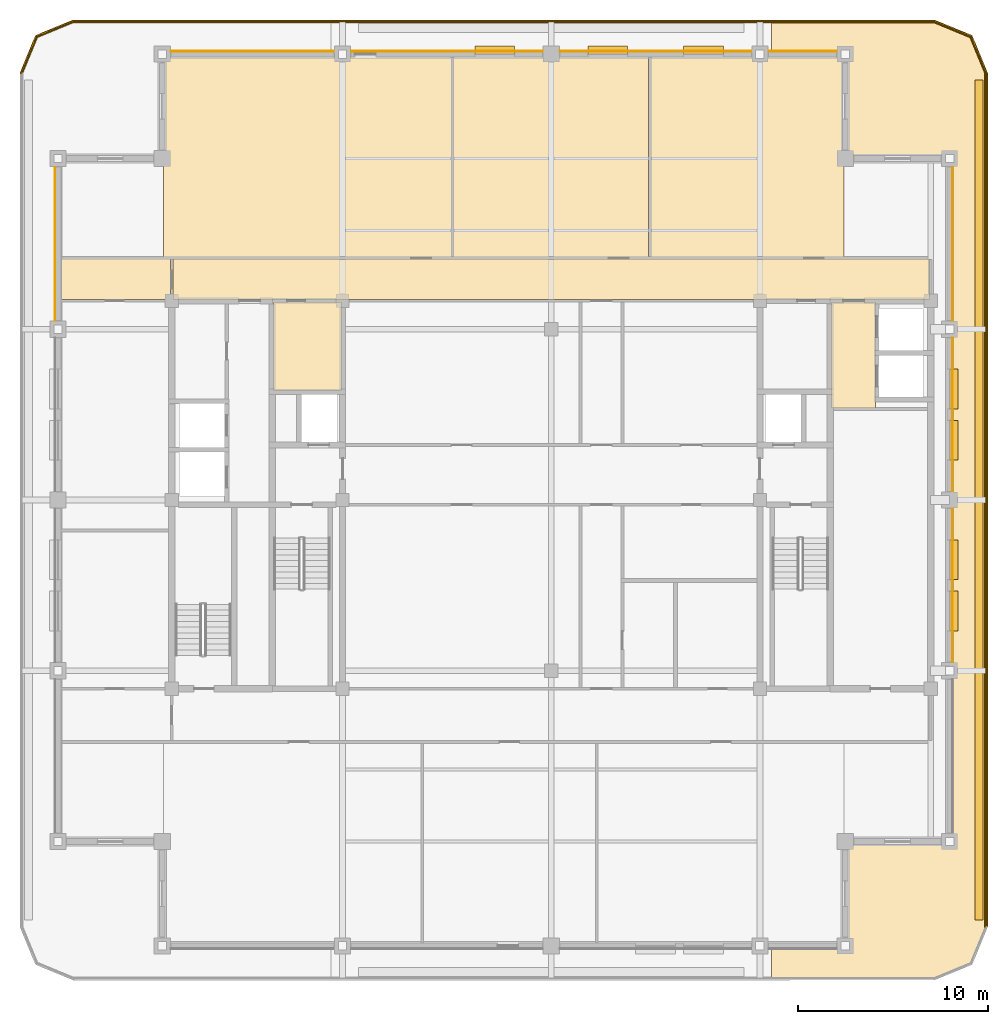
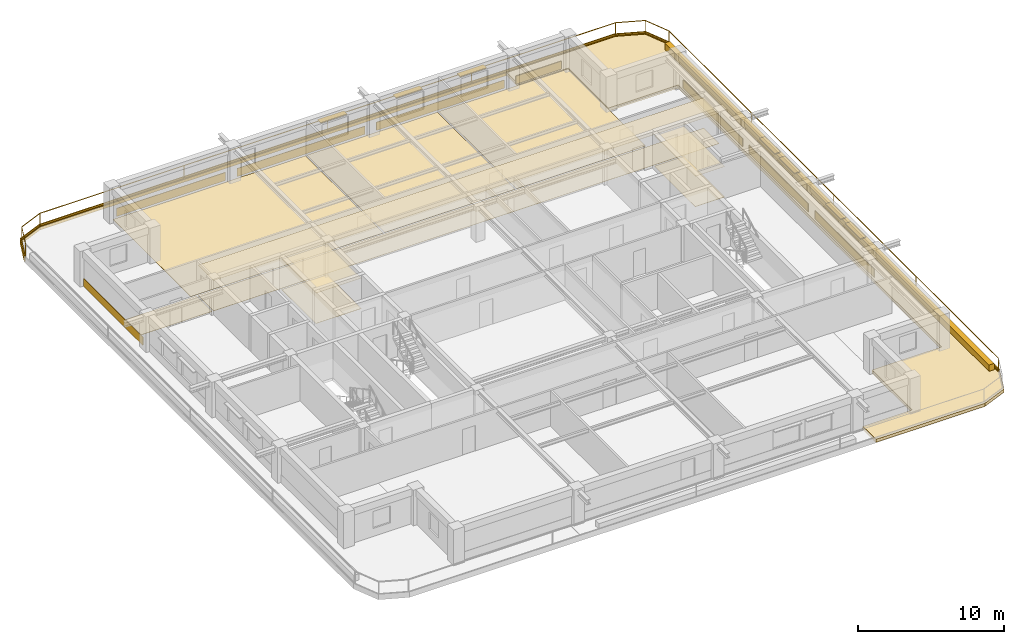
# One storey, part 11 of 11: 26 coverings, 7 shading devices, 2 railings.
"""IFC4 building model written with IfcOpenShell, lengths in metres."""

from ifc_helpers import new_model, si_unit, direction, frame, frame_2d, origin, origin_2d, place, context, subcontext, project, spatial, polyline, rectangle, outline, extrude, material, layer, layer_set, type_object, element, save


model = new_model("IFC4")

# Units and contexts
model_context = context("Model", 3, precision=1e-05, world=origin(), true_north=direction((0.0, 1.0)))
body_context = subcontext(model_context, "Body", "Model", "MODEL_VIEW")
ifc_project = project(units=[si_unit("LENGTHUNIT", "METRE"), si_unit("AREAUNIT", "SQUARE_METRE"), si_unit("VOLUMEUNIT", "CUBIC_METRE"), si_unit("PLANEANGLEUNIT", "RADIAN"), si_unit("MASSUNIT", "GRAM", prefix="KILO")], contexts=[model_context])

# Site, building, storey
site_placement = place(None, origin())
site = spatial("IfcSite", under=ifc_project, at=site_placement, CompositionType="ELEMENT")
building_placement = place(site_placement, origin())
building = spatial("IfcBuilding", under=site, at=building_placement, Name="Zulmaris Gate Convention Tower", CompositionType="ELEMENT")
storey_placement = place(building_placement, frame((0.0, 0.0, 264.119873046875)))
storey = spatial("IfcBuildingStorey", under=building, at=storey_placement, Name="L70", CompositionType="ELEMENT", Elevation=264.119873046875)

# Coverings
ifc_material_1 = material(Name="Precast concrete C40/50", Category="concrete")
ifc_layer_1 = layer(ifc_material_1, 0.0400390625, Name="Precast concrete C40/50")
ifc_layer_set_1 = layer_set([ifc_layer_1], Name="Precast concrete C40/50")
covering_type_1 = type_object("IfcCoveringType", Name="CLAD-SPANDREL-PRECAST", PredefinedType="CLADDING", material=ifc_layer_set_1)
covering_1_placement = place(storey_placement, frame((-11.455078125, 23.64990234375, 0.0), z_axis=(0.0, 0.0, 1.0), x_axis=(-1.0, 0.0, 0.0)))
element("IfcCovering", 1, at=covering_1_placement, inside=storey, type_object=covering_type_1, Name="CLD-L70-N-0_0", PredefinedType="CLADDING", context=body_context, shape_type="SweptSolid", body=[
    extrude(rectangle(XDim=8.58984375, YDim=0.0400390625, at=frame_2d((4.294921875, 0.0))), origin(), (0.0, 0.0, 1.0), 0.679931640625),
])
for number, where, z_axis, x_axis, name in (
    (2, (-0.455078125, 23.64990234375, 0.0), (0.0, 0.0, 1.0), (-1.0, 0.0, 0.0), "CLD-L70-N-1_0"),
    (3, (10.544921875, 23.64990234375, 0.0), (0.0, 0.0, 1.0), (-1.0, 0.0, 0.0), "CLD-L70-N-2_0"),
):
    element("IfcCovering", number, at=place(storey_placement, frame(where, z_axis=z_axis, x_axis=x_axis)), inside=storey, type_object=covering_type_1, Name=name, PredefinedType="CLADDING", context=body_context, shape_type="SweptSolid", body=[
        extrude(rectangle(XDim=10.08984375, YDim=0.0400390625, at=frame_2d((5.044921875, 0.0))), origin(), (0.0, 0.0, 1.0), 0.679931640625),
    ])
covering_2_placement = place(storey_placement, frame((15.044921875, 23.64990234375, 0.0), z_axis=(0.0, 0.0, 1.0), x_axis=(-1.0, 0.0, 0.0)))
element("IfcCovering", 4, at=covering_2_placement, inside=storey, type_object=covering_type_1, Name="CLD-L70-N-3_0", PredefinedType="CLADDING", context=body_context, shape_type="SweptSolid", body=[
    extrude(rectangle(XDim=3.58984375, YDim=0.0400390625, at=frame_2d((1.794921875, 0.0))), origin(), (0.0, 0.0, 1.0), 0.679931640625),
])
for number, where, z_axis, x_axis, name in (
    (5, (21.14990234375, -8.544921875, 0.0), (0.0, 0.0, 1.0), (0.0, 1.0, 0.0), "CLD-L70-E-1_0"),
    (6, (21.14990234375, 0.455078125, 0.0), (0.0, 0.0, 1.0), (0.0, 1.0, 0.0), "CLD-L70-E-2_0"),
    (7, (21.14990234375, 9.455078125, 0.0), (0.0, 0.0, 1.0), (0.0, 1.0, 0.0), "CLD-L70-E-3_0"),
    (8, (-26.14990234375, 17.544921875, 0.0), (0.0, 0.0, 1.0), (0.0, -1.0, 0.0), "CLD-L70-W-3_0"),
):
    element("IfcCovering", number, at=place(storey_placement, frame(where, z_axis=z_axis, x_axis=x_axis)), inside=storey, type_object=covering_type_1, Name=name, PredefinedType="CLADDING", context=body_context, shape_type="SweptSolid", body=[
        extrude(rectangle(XDim=8.08984375, YDim=0.0400390625, at=frame_2d((4.044921875, 0.0))), origin(), (0.0, 0.0, 1.0), 0.679931640625),
    ])
ifc_material_2 = material(Name="White Glazed Architectural Precast Concrete C40/50", Category="concrete")
ifc_layer_2 = layer(ifc_material_2, 0.239990234375, Name="White Glazed Architectural Precast Concrete C40/50")
ifc_layer_set_2 = layer_set([ifc_layer_2], Name="White Glazed Architectural Precast Concrete C40/50")
covering_type_2 = type_object("IfcCoveringType", Name="CLAD-TRAY-DECK", PredefinedType="CLADDING", material=ifc_layer_set_2)
covering_3_placement = place(storey_placement, frame((0.0, 0.0, -0.25)))
element("IfcCovering", 9, at=covering_3_placement, inside=storey, type_object=covering_type_2, Name="L70 East Rounded-Fascia Planter Tray Deck", PredefinedType="CLADDING", context=body_context, shape_type="SweptSolid", body=[
    extrude(outline(polyline([(20.199951171875, 25.300048828125), (22.179931640625, 24.47998046875), (23.0, 22.5), (23.0, -22.5), (22.179931640625, -24.47998046875), (20.199951171875, -25.300048828125), (11.60205078125, -25.300048828125), (11.60205078125, -23.5), (15.5, -23.5), (15.5, -18.0), (21.0, -18.0), (21.0, 18.0), (15.5, 18.0), (15.5, 23.5), (11.60205078125, 23.5), (11.60205078125, 25.300048828125), (20.199951171875, 25.300048828125)])), origin(), (0.0, 0.0, 1.0), 0.260009765625),
])
ifc_layer_3 = layer(ifc_material_2, 0.080078125, Name="White Glazed Architectural Precast Concrete C40/50")
ifc_layer_set_3 = layer_set([ifc_layer_3], Name="White Glazed Architectural Precast Concrete C40/50")
covering_type_3 = type_object("IfcCoveringType", Name="CLAD-TRAY-FASCIA", PredefinedType="CLADDING", material=ifc_layer_set_3)
covering_4_placement = place(storey_placement, frame((22.9599609375, -22.5, -0.2900390625), z_axis=(0.0, 0.0, 1.0), x_axis=(0.0, 1.0, 0.0)))
element("IfcCovering", 10, at=covering_4_placement, inside=storey, type_object=covering_type_3, Name="FSC-L70-TR-05", PredefinedType="CLADDING", context=body_context, shape_type="SweptSolid", body=[
    extrude(rectangle(XDim=45.0, YDim=0.080078125, at=frame_2d((22.5, 0.0))), origin(), (0.0, 0.0, 1.0), 0.4599609375),
])
covering_5_placement = place(storey_placement, frame((22.962890625, 22.484619140625, -0.2900390625), z_axis=(0.0, 0.0, 1.0), x_axis=(-0.382656984709, 0.923890487046, 0.0)))
element("IfcCovering", 11, at=covering_5_placement, inside=storey, type_object=covering_type_3, Name="FSC-L70-TR-06", PredefinedType="CLADDING", context=body_context, shape_type="SweptSolid", body=[
    extrude(rectangle(XDim=2.14306640625, YDim=0.080078125, at=frame_2d((1.071533203125, 0.0))), origin(), (0.0, 0.0, 1.0), 0.4599609375),
])
covering_6_placement = place(storey_placement, frame((22.16455078125, 24.44287109375, -0.2900390625), z_axis=(0.0, 0.0, 1.0), x_axis=(-0.923873803533, 0.382697263049, 0.0)))
element("IfcCovering", 12, at=covering_6_placement, inside=storey, type_object=covering_type_3, Name="FSC-L70-TR-07", PredefinedType="CLADDING", context=body_context, shape_type="SweptSolid", body=[
    extrude(rectangle(XDim=2.142822265625, YDim=0.080078125, at=frame_2d((1.0712890625, 0.0))), origin(), (0.0, 0.0, 1.0), 0.4599609375),
])
covering_7_placement = place(storey_placement, frame((20.199951171875, 25.260009765625, -0.2900390625), z_axis=(0.0, 0.0, 1.0), x_axis=(-1.0, 0.0, 0.0)))
element("IfcCovering", 13, at=covering_7_placement, inside=storey, type_object=covering_type_3, Name="FSC-L70-TR-08", PredefinedType="CLADDING", context=body_context, shape_type="SweptSolid", body=[
    extrude(rectangle(XDim=45.39990234375, YDim=0.080078125, at=frame_2d((22.699951171875, 0.0))), origin(), (0.0, 0.0, 1.0), 0.4599609375),
])
covering_8_placement = place(storey_placement, frame((-25.184814453125, 25.262939453125, -0.2900390625), z_axis=(0.0, 0.0, 1.0), x_axis=(-0.923873803533, -0.382697263049, 0.0)))
element("IfcCovering", 14, at=covering_8_placement, inside=storey, type_object=covering_type_3, Name="FSC-L70-TR-09", PredefinedType="CLADDING", context=body_context, shape_type="SweptSolid", body=[
    extrude(rectangle(XDim=2.142822265625, YDim=0.080078125, at=frame_2d((1.0712890625, 0.0))), origin(), (0.0, 0.0, 1.0), 0.4599609375),
])
covering_9_placement = place(storey_placement, frame((-27.142822265625, 24.464599609375, -0.2900390625), z_axis=(0.0, 0.0, 1.0), x_axis=(-0.382656984709, -0.923890487046, 0.0)))
element("IfcCovering", 15, at=covering_9_placement, inside=storey, type_object=covering_type_3, Name="FSC-L70-TR-10", PredefinedType="CLADDING", context=body_context, shape_type="SweptSolid", body=[
    extrude(rectangle(XDim=2.14306640625, YDim=0.080078125, at=frame_2d((1.071533203125, 0.0))), origin(), (0.0, 0.0, 1.0), 0.4599609375),
])
ifc_material_3 = material(Name="Mineral Fibre Acoustic Ceiling Tile")
ifc_layer_4 = layer(ifc_material_3, 0.02001953125, Name="Mineral Fibre Acoustic Ceiling Tile")
ifc_layer_set_4 = layer_set([ifc_layer_4], Name="Mineral Fibre Acoustic Ceiling Tile")
covering_type_4 = type_object("IfcCoveringType", Name="CLG-ACOUSTIC-600", PredefinedType="CEILING", material=ifc_layer_set_4)
covering_10_placement = place(storey_placement, frame((0.0, 0.0, 2.538330078125)))
element("IfcCovering", 16, at=covering_10_placement, inside=storey, type_object=covering_type_4, Name="CLG-L70-R11", PredefinedType="CEILING", context=body_context, shape_type="SweptSolid", body=[
    extrude(outline(polyline([(-14.639892578125, 5.760009765625), (-11.06005859375, 5.760009765625), (-11.06005859375, 10.43994140625), (-14.639892578125, 10.43994140625), (-14.639892578125, 5.760009765625)])), origin(), (0.0, 0.0, 1.0), 0.019775390625),
])
covering_11_placement = place(storey_placement, frame((0.0, 0.0, 2.538330078125)))
element("IfcCovering", 17, at=covering_11_placement, inside=storey, type_object=covering_type_4, Name="CLG-L70-R21", PredefinedType="CEILING", context=body_context, shape_type="SweptSolid", body=[
    extrude(outline(polyline([(14.760009765625, 4.860107421875), (17.090087890625, 4.860107421875), (17.090087890625, 10.43994140625), (14.760009765625, 10.43994140625), (14.760009765625, 4.860107421875)])), origin(), (0.0, 0.0, 1.0), 0.019775390625),
])
covering_12_placement = place(storey_placement, frame((0.0, 0.0, 2.538330078125)))
element("IfcCovering", 18, at=covering_12_placement, inside=storey, type_object=covering_type_4, Name="CLG-L70-R25", PredefinedType="CEILING", context=body_context, shape_type="SweptSolid", body=[
    extrude(outline(polyline([(-19.93994140625, 10.56005859375), (19.93994140625, 10.56005859375), (19.93994140625, 12.68994140625), (-19.93994140625, 12.68994140625), (-19.93994140625, 10.56005859375)])), origin(), (0.0, 0.0, 1.0), 0.019775390625),
])
ifc_material_4 = material(Name="Woven Acoustic Wool Carpet Tile")
ifc_layer_5 = layer(ifc_material_4, 0.02001953125, Name="Woven Acoustic Wool Carpet Tile")
ifc_layer_set_5 = layer_set([ifc_layer_5], Name="Woven Acoustic Wool Carpet Tile")
covering_type_5 = type_object("IfcCoveringType", Name="FLR-CARPET-12", PredefinedType="FLOORING", material=ifc_layer_set_5)
covering_13_placement = place(storey_placement, origin())
element("IfcCovering", 19, at=covering_13_placement, inside=storey, type_object=covering_type_5, Name="FLR-L70-R11", PredefinedType="FLOORING", context=body_context, shape_type="SweptSolid", body=[
    extrude(outline(polyline([(-14.639892578125, 5.760009765625), (-11.06005859375, 5.760009765625), (-11.06005859375, 10.43994140625), (-14.639892578125, 10.43994140625), (-14.639892578125, 5.760009765625)])), origin(), (0.0, 0.0, 1.0), 0.02001953125),
])
covering_14_placement = place(storey_placement, origin())
element("IfcCovering", 20, at=covering_14_placement, inside=storey, type_object=covering_type_5, Name="FLR-L70-R21", PredefinedType="FLOORING", context=body_context, shape_type="SweptSolid", body=[
    extrude(outline(polyline([(14.760009765625, 4.860107421875), (17.090087890625, 4.860107421875), (17.090087890625, 10.43994140625), (14.760009765625, 10.43994140625), (14.760009765625, 4.860107421875)])), origin(), (0.0, 0.0, 1.0), 0.02001953125),
])
covering_15_placement = place(storey_placement, origin())
element("IfcCovering", 21, at=covering_15_placement, inside=storey, type_object=covering_type_5, Name="FLR-L70-R25", PredefinedType="FLOORING", context=body_context, shape_type="SweptSolid", body=[
    extrude(outline(polyline([(-19.93994140625, 10.56005859375), (19.93994140625, 10.56005859375), (19.93994140625, 12.68994140625), (-19.93994140625, 12.68994140625), (-19.93994140625, 10.56005859375)])), origin(), (0.0, 0.0, 1.0), 0.02001953125),
])
covering_16_placement = place(storey_placement, origin())
element("IfcCovering", 22, at=covering_16_placement, inside=storey, type_object=covering_type_5, Name="FLR-L70-R31", PredefinedType="FLOORING", context=body_context, shape_type="SweptSolid", body=[
    extrude(outline(polyline([(-5.139892578125, 12.81005859375), (5.139892578125, 12.81005859375), (5.139892578125, 23.43994140625), (-5.139892578125, 23.43994140625), (-5.139892578125, 12.81005859375)])), origin(), (0.0, 0.0, 1.0), 0.02001953125),
])
covering_17_placement = place(storey_placement, origin())
element("IfcCovering", 23, at=covering_17_placement, inside=storey, type_object=covering_type_5, Name="FLR-L70-R32", PredefinedType="FLOORING", context=body_context, shape_type="SweptSolid", body=[
    extrude(outline(polyline([(5.260009765625, 12.81005859375), (15.43994140625, 12.81005859375), (15.43994140625, 23.43994140625), (5.260009765625, 23.43994140625), (5.260009765625, 12.81005859375)])), origin(), (0.0, 0.0, 1.0), 0.02001953125),
])
covering_18_placement = place(storey_placement, origin())
element("IfcCovering", 24, at=covering_18_placement, inside=storey, type_object=covering_type_5, Name="FLR-L70-R42", PredefinedType="FLOORING", context=body_context, shape_type="SweptSolid", body=[
    extrude(outline(polyline([(-25.93994140625, 10.56005859375), (-20.06005859375, 10.56005859375), (-20.06005859375, 12.68994140625), (-25.93994140625, 12.68994140625), (-25.93994140625, 10.56005859375)])), origin(), (0.0, 0.0, 1.0), 0.02001953125),
])
ifc_material_5 = material(Name="Engineered Teak Parquet Flooring")
ifc_layer_6 = layer(ifc_material_5, 0.02001953125, Name="Engineered Teak Parquet Flooring")
ifc_layer_set_6 = layer_set([ifc_layer_6], Name="Engineered Teak Parquet Flooring")
covering_type_6 = type_object("IfcCoveringType", Name="FLR-TIMBER-18", PredefinedType="FLOORING", material=ifc_layer_set_6)
covering_19_placement = place(storey_placement, origin())
element("IfcCovering", 25, at=covering_19_placement, inside=storey, type_object=covering_type_6, Name="FLR-L70-R30", PredefinedType="FLOORING", context=body_context, shape_type="SweptSolid", body=[
    extrude(outline(polyline([(-20.43994140625, 12.81005859375), (-5.260009765625, 12.81005859375), (-5.260009765625, 23.43994140625), (-20.43994140625, 23.43994140625), (-20.43994140625, 12.81005859375)])), origin(), (0.0, 0.0, 1.0), 0.02001953125),
])
ifc_material_6 = material(Name="Botanical Green Glazed Precast Concrete C40/50", Category="concrete")
ifc_layer_7 = layer(ifc_material_6, 0.419921875, Name="Botanical Green Glazed Precast Concrete C40/50")
ifc_layer_set_7 = layer_set([ifc_layer_7], Name="Botanical Green Glazed Precast Concrete C40/50")
covering_type_7 = type_object("IfcCoveringType", Name="PLANTER-BOX-200", PredefinedType="CLADDING", material=ifc_layer_set_7)
covering_20_placement = place(storey_placement, frame((0.0, 0.0, 0.010009765625)))
element("IfcCovering", 26, at=covering_20_placement, inside=storey, type_object=covering_type_7, Name="L70 E Full-Length Balcony Tree Planter Trough", PredefinedType="CLADDING", context=body_context, shape_type="SweptSolid", body=[
    extrude(outline(polyline([(22.340087890625, -22.14990234375), (22.760009765625, -22.14990234375), (22.760009765625, 22.14990234375), (22.340087890625, 22.14990234375), (22.340087890625, -22.14990234375)])), origin(), (0.0, 0.0, 1.0), 0.52001953125),
])

# Railings
ifc_material_7 = material(Name="Laminated Glass and Stainless Steel", Category="steel")
railing_type = type_object("IfcRailingType", Name="RL-BALC-1150", PredefinedType="BALUSTRADE", material=ifc_material_7)
railing_1_placement = place(storey_placement, frame((22.8798828125, -22.5, 0.010009765625)))
element("IfcRailing", 27, at=railing_1_placement, inside=storey, type_object=railing_type, Name="RL-L70-BALC-E", PredefinedType="BALUSTRADE", context=body_context, shape_type="SweptSolid", body=[
    extrude(rectangle(XDim=0.048095703125, YDim=0.048095703125, at=origin_2d()), frame((0.0, 0.0, 1.1259765625), z_axis=(0.0, 1.0, 0.0), x_axis=(-1.0, 0.0, 0.0)), (0.0, 0.0, 1.0), 45.0),
    extrude(rectangle(XDim=0.048095703125, YDim=0.048095703125, at=origin_2d()), frame((0.0, 0.0, 0.02392578125), z_axis=(0.0, 1.0, 0.0), x_axis=(-1.0, 0.0, 0.0)), (0.0, 0.0, 1.0), 45.0),
    extrude(rectangle(XDim=0.0419921875, YDim=0.0419921875, at=origin_2d()), origin(), (0.0, 0.0, 1.0), 1.101806640625),
    extrude(rectangle(XDim=0.0419921875, YDim=0.0419921875, at=origin_2d()), frame((0.0, 11.25, 0.0)), (0.0, 0.0, 1.0), 1.101806640625),
    extrude(rectangle(XDim=0.0419921875, YDim=0.0419921875, at=origin_2d()), frame((0.0, 22.5, 0.0)), (0.0, 0.0, 1.0), 1.101806640625),
    extrude(rectangle(XDim=0.0419921875, YDim=0.0419921875, at=origin_2d()), frame((0.0, 33.75, 0.0)), (0.0, 0.0, 1.0), 1.101806640625),
    extrude(rectangle(XDim=0.0419921875, YDim=0.0419921875, at=origin_2d()), frame((0.0, 45.0, 0.0)), (0.0, 0.0, 1.0), 1.101806640625),
])
railing_2_placement = place(storey_placement, frame((22.8798828125, 22.5, 0.010009765625)))
element("IfcRailing", 28, at=railing_2_placement, inside=storey, type_object=railing_type, Name="RL-L70-BALC-N", PredefinedType="BALUSTRADE", context=body_context, shape_type="SweptSolid", body=[
    extrude(rectangle(XDim=0.048095703125, YDim=0.048095703125, at=origin_2d()), frame((0.0, 0.0, 1.1259765625), z_axis=(-0.382670664694, 0.92388482095, 0.0), x_axis=(-0.92388482095, -0.382670664694, 0.0)), (0.0, 0.0, 1.0), 2.051025390625),
    extrude(rectangle(XDim=0.048095703125, YDim=0.048095703125, at=origin_2d()), frame((0.0, 0.0, 0.02392578125), z_axis=(-0.382670664694, 0.92388482095, 0.0), x_axis=(-0.92388482095, -0.382670664694, 0.0)), (0.0, 0.0, 1.0), 2.051025390625),
    extrude(rectangle(XDim=0.048095703125, YDim=0.048095703125, at=origin_2d()), frame((-0.784912109375, 1.89501953125, 1.1259765625), z_axis=(-0.92388482095, 0.382670664694, 0.0), x_axis=(-0.382670664694, -0.92388482095, 0.0)), (0.0, 0.0, 1.0), 2.051025390625),
    extrude(rectangle(XDim=0.048095703125, YDim=0.048095703125, at=origin_2d()), frame((-0.784912109375, 1.89501953125, 0.02392578125), z_axis=(-0.92388482095, 0.382670664694, 0.0), x_axis=(-0.382670664694, -0.92388482095, 0.0)), (0.0, 0.0, 1.0), 2.051025390625),
    extrude(rectangle(XDim=0.048095703125, YDim=0.048095703125, at=origin_2d()), frame((-2.679931640625, 2.679931640625, 1.1259765625), z_axis=(-1.0, 0.0, 0.0), x_axis=(0.0, -1.0, 0.0)), (0.0, 0.0, 1.0), 45.39990234375),
    extrude(rectangle(XDim=0.048095703125, YDim=0.048095703125, at=origin_2d()), frame((-2.679931640625, 2.679931640625, 0.02392578125), z_axis=(-1.0, 0.0, 0.0), x_axis=(0.0, -1.0, 0.0)), (0.0, 0.0, 1.0), 45.39990234375),
    extrude(rectangle(XDim=0.048095703125, YDim=0.048095703125, at=origin_2d()), frame((-48.079833984375, 2.679931640625, 1.1259765625), z_axis=(-0.92388482095, -0.382670664694, 0.0), x_axis=(0.382670664694, -0.92388482095, 0.0)), (0.0, 0.0, 1.0), 2.051025390625),
    extrude(rectangle(XDim=0.048095703125, YDim=0.048095703125, at=origin_2d()), frame((-48.079833984375, 2.679931640625, 0.02392578125), z_axis=(-0.92388482095, -0.382670664694, 0.0), x_axis=(0.382670664694, -0.92388482095, 0.0)), (0.0, 0.0, 1.0), 2.051025390625),
    extrude(rectangle(XDim=0.048095703125, YDim=0.048095703125, at=origin_2d()), frame((-49.974853515625, 1.89501953125, 1.1259765625), z_axis=(-0.382670664694, -0.92388482095, 0.0), x_axis=(0.92388482095, -0.382670664694, 0.0)), (0.0, 0.0, 1.0), 2.051025390625),
    extrude(rectangle(XDim=0.048095703125, YDim=0.048095703125, at=origin_2d()), frame((-49.974853515625, 1.89501953125, 0.02392578125), z_axis=(-0.382670664694, -0.92388482095, 0.0), x_axis=(0.92388482095, -0.382670664694, 0.0)), (0.0, 0.0, 1.0), 2.051025390625),
    extrude(rectangle(XDim=0.0419921875, YDim=0.0419921875, at=origin_2d()), origin(), (0.0, 0.0, 1.0), 1.101806640625),
    extrude(rectangle(XDim=0.0419921875, YDim=0.0419921875, at=origin_2d()), frame((-0.784912109375, 1.89501953125, 0.0)), (0.0, 0.0, 1.0), 1.101806640625),
    extrude(rectangle(XDim=0.0419921875, YDim=0.0419921875, at=origin_2d()), frame((-2.679931640625, 2.679931640625, 0.0)), (0.0, 0.0, 1.0), 1.101806640625),
    extrude(rectangle(XDim=0.0419921875, YDim=0.0419921875, at=origin_2d()), frame((-14.02978515625, 2.679931640625, 0.0)), (0.0, 0.0, 1.0), 1.101806640625),
    extrude(rectangle(XDim=0.0419921875, YDim=0.0419921875, at=origin_2d()), frame((-25.3798828125, 2.679931640625, 0.0)), (0.0, 0.0, 1.0), 1.101806640625),
    extrude(rectangle(XDim=0.0419921875, YDim=0.0419921875, at=origin_2d()), frame((-36.72998046875, 2.679931640625, 0.0)), (0.0, 0.0, 1.0), 1.101806640625),
    extrude(rectangle(XDim=0.0419921875, YDim=0.0419921875, at=origin_2d()), frame((-48.079833984375, 2.679931640625, 0.0)), (0.0, 0.0, 1.0), 1.101806640625),
    extrude(rectangle(XDim=0.0419921875, YDim=0.0419921875, at=origin_2d()), frame((-49.974853515625, 1.89501953125, 0.0)), (0.0, 0.0, 1.0), 1.101806640625),
    extrude(rectangle(XDim=0.0419921875, YDim=0.0419921875, at=origin_2d()), frame((-50.759765625, 0.0, 0.0)), (0.0, 0.0, 1.0), 1.101806640625),
])

# Shading devices
ifc_material_8 = material(Name="Glazed Ceramic Terracotta", Category="masonry")
ifc_layer_8 = layer(ifc_material_8, 0.070068359375, Name="Glazed Ceramic Terracotta")
ifc_layer_set_8 = layer_set([ifc_layer_8], Name="Glazed Ceramic Terracotta")
shading_device_type = type_object("IfcShadingDeviceType", Name="SHD-SUNSHADE-TC", PredefinedType="AWNING", material=ifc_layer_set_8)
for number, where, z_axis, x_axis, name in (
    (29, (-1.927001953125, 23.719970703125, 2.22998046875), (0.0, 0.0, 1.0), (-1.0, 0.0, 0.0), "SHD-EW-L70-N-1_0-1"),
    (30, (9.072998046875, 23.719970703125, 2.22998046875), (0.0, 0.0, 1.0), (-1.0, 0.0, 0.0), "SHD-EW-L70-N-2_0-1"),
    (31, (4.027099609375, 23.719970703125, 2.22998046875), (0.0, 0.0, 1.0), (-1.0, 0.0, 0.0), "SHD-EW-L70-N-2_0-3"),
):
    element("IfcShadingDevice", number, at=place(storey_placement, frame(where, z_axis=z_axis, x_axis=x_axis)), inside=storey, type_object=shading_device_type, Name=name, PredefinedType="AWNING", context=body_context, shape_type="SweptSolid", body=[
        extrude(rectangle(XDim=2.10009765625, YDim=0.43994140625, at=frame_2d((1.050048828125, 0.0))), origin(), (0.0, 0.0, 1.0), 0.070068359375),
    ])
for number, where, z_axis, x_axis, name in (
    (32, (21.219970703125, -6.89794921875, 2.22998046875), (0.0, 0.0, 1.0), (0.0, 1.0, 0.0), "SHD-EW-L70-E-1_0-1"),
    (33, (21.219970703125, -4.201904296875, 2.22998046875), (0.0, 0.0, 1.0), (0.0, 1.0, 0.0), "SHD-EW-L70-E-1_0-2"),
    (34, (21.219970703125, 2.10205078125, 2.22998046875), (0.0, 0.0, 1.0), (0.0, 1.0, 0.0), "SHD-EW-L70-E-2_0-1"),
    (35, (21.219970703125, 4.798095703125, 2.22998046875), (0.0, 0.0, 1.0), (0.0, 1.0, 0.0), "SHD-EW-L70-E-2_0-2"),
):
    element("IfcShadingDevice", number, at=place(storey_placement, frame(where, z_axis=z_axis, x_axis=x_axis)), inside=storey, type_object=shading_device_type, Name=name, PredefinedType="AWNING", context=body_context, shape_type="SweptSolid", body=[
        extrude(rectangle(XDim=2.099853515625, YDim=0.43994140625, at=frame_2d((1.0498046875, 0.0))), origin(), (0.0, 0.0, 1.0), 0.070068359375),
    ])

save(model, "model.ifc")
